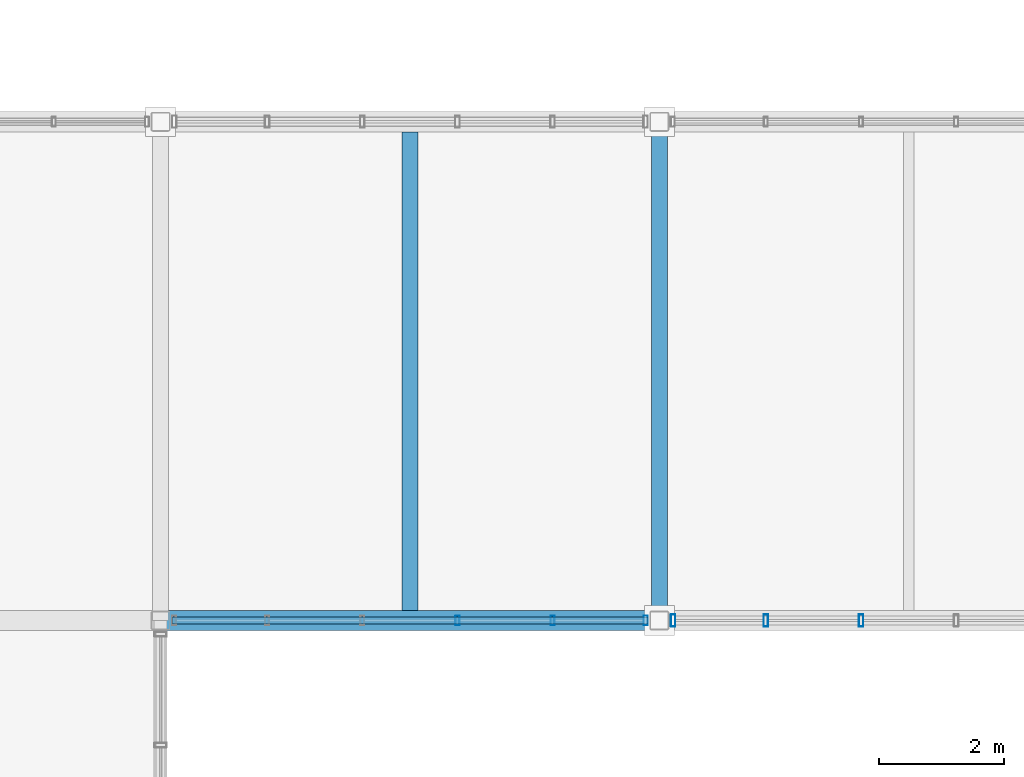
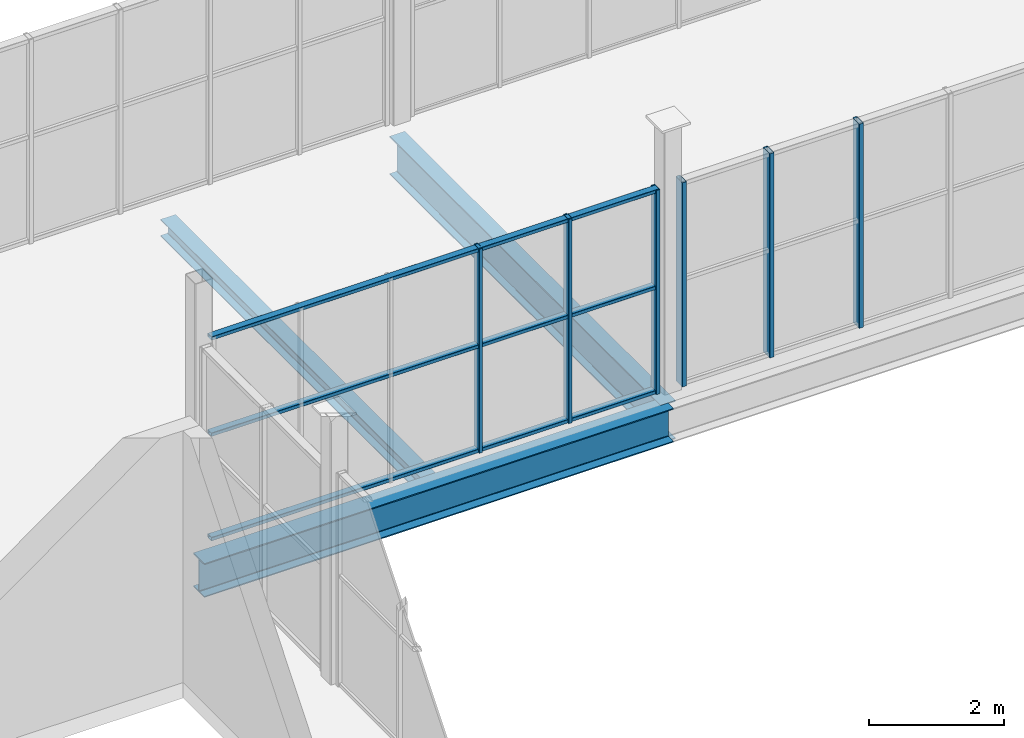
# One storey, part 50 of 114: 9 members, 3 beams, 2 elements without a shape of their own.
"""IFC4 building model written with IfcOpenShell, lengths in metres."""

from ifc_helpers import new_model, si_unit, direction, frame, origin, origin_2d, place, context, subcontext, project, spatial, hollow_rectangle, i_section, extrude, material, material_profile, profile_set, type_object, element, aggregate, save


model = new_model("IFC4")

# Units and contexts
model_context = context("Model", 3, precision=1e-05, world=origin(), true_north=direction((0.0, 1.0)))
body_context = subcontext(model_context, "Body", "Model", "MODEL_VIEW")
ifc_project = project(units=[si_unit("LENGTHUNIT", "METRE"), si_unit("AREAUNIT", "SQUARE_METRE"), si_unit("VOLUMEUNIT", "CUBIC_METRE"), si_unit("PLANEANGLEUNIT", "RADIAN"), si_unit("MASSUNIT", "GRAM", prefix="KILO")], contexts=[model_context])

# Site, building, storey
site_placement = place(None, origin())
site = spatial("IfcSite", under=ifc_project, at=site_placement, CompositionType="ELEMENT")
building_placement = place(site_placement, origin())
building = spatial("IfcBuilding", under=site, at=building_placement, Name="Verrall Gate Interchange", CompositionType="ELEMENT")
storey_placement = place(building_placement, frame((0.0, 0.0, 6.60009765625)))
storey = spatial("IfcBuildingStorey", under=building, at=storey_placement, Name="L02", CompositionType="ELEMENT", Elevation=6.60009765625)

# Beams
ifc_material_1 = material(Name="Structural Steel CSA G40.21 350WT Cat 4", Category="steel")
ifc_material_profile_1 = material_profile(ifc_material_1, i_section(OverallWidth=0.256103515625, OverallDepth=0.693115234375, WebThickness=0.01318359375, FlangeThickness=0.02001953125, FilletRadius=0.01611328125, at=origin_2d()), Name="W690x170")
ifc_profile_set_1 = profile_set([ifc_material_profile_1], Name="Structural Steel CSA G40.21 350WT Cat 4")
beam_type_1 = type_object("IfcBeamType", Name="B-07 Structural Beam W690x170", PredefinedType="BEAM", material=ifc_profile_set_1)
beam_1_placement = place(storey_placement, frame((116.0, 48.0, -0.626708984375), z_axis=(0.0, 1.0, 0.0), x_axis=(-1.0, 0.0, 0.0)))
element("IfcBeam", 1, at=beam_1_placement, inside=storey, type_object=beam_type_1, Name="L02 Girder BM-L02-1781 (B-07)", PredefinedType="BEAM", context=body_context, shape_type="SweptSolid", body=[
    extrude(i_section(OverallWidth=0.256103515625, OverallDepth=0.693115234375, WebThickness=0.01318359375, FlangeThickness=0.02001953125, FilletRadius=0.01611328125, at=origin_2d()), origin(), (0.0, 0.0, 1.0), 8.0),
])
ifc_material_2 = material(Name="Structural Steel CSA G40.21 350WT Cat 4", Category="steel")
ifc_material_profile_2 = material_profile(ifc_material_2, i_section(OverallWidth=0.323974609375, OverallDepth=0.611083984375, WebThickness=0.0126953125, FlangeThickness=0.01904296875, FilletRadius=0.014892578125, at=origin_2d()), Name="W610x155")
ifc_profile_set_2 = profile_set([ifc_material_profile_2], Name="Structural Steel CSA G40.21 350WT Cat 4")
beam_type_2 = type_object("IfcBeamType", Name="B-08 Structural Beam W610x155", PredefinedType="BEAM", material=ifc_profile_set_2)
beam_2_placement = place(storey_placement, frame((108.0, 48.0, -0.585693359375), z_axis=(1.0, 0.0, 0.0), x_axis=(0.0, 1.0, 0.0)))
element("IfcBeam", 2, at=beam_2_placement, inside=storey, type_object=beam_type_2, Name="L02 Girder BM-L02-1579 (B-08)", PredefinedType="BEAM", context=body_context, shape_type="SweptSolid", body=[
    extrude(i_section(OverallWidth=0.323974609375, OverallDepth=0.611083984375, WebThickness=0.0126953125, FlangeThickness=0.01904296875, FilletRadius=0.014892578125, at=origin_2d()), origin(), (0.0, 0.0, 1.0), 8.0),
])

# Curtain wall, members
ifc_material_3 = material(Name="Thermally Broken Anodized Aluminium Curtain Wall Framing", Category="aluminium")
curtain_wall_type = type_object("IfcCurtainWallType", Name="CW-21 Unitized Curtain Wall 7631x3680", PredefinedType="NOTDEFINED", material=ifc_material_3)
curtain_wall_1_placement = place(storey_placement, origin())
curtain_wall_1 = element("IfcCurtainWall", 3, at=curtain_wall_1_placement, inside=storey, type_object=curtain_wall_type, Name="L02 Unitized Curtain Wall CW-L02-070", PredefinedType="NOTDEFINED")
ifc_material_4 = material(Name="Thermally Broken Anodized Aluminium Curtain Wall Framing", Category="aluminium")
ifc_material_profile_3 = material_profile(ifc_material_4, hollow_rectangle(XDim=0.06494140625, YDim=0.159912109375, WallThickness=0.00390625, InnerFilletRadius=0.00390625, OuterFilletRadius=0.008056640625, at=origin_2d()), Name="CWM160x65x4")
ifc_profile_set_3 = profile_set([ifc_material_profile_3], Name="Thermally Broken Anodized Aluminium Curtain Wall Framing")
member_type_1 = type_object("IfcMemberType", Name="CM-01 Curtain Mullion CWM160x65x4", PredefinedType="MULLION", material=ifc_profile_set_3)
member_1_placement = place(storey_placement, frame((112.76318359375, 48.0, 0.0), z_axis=(0.0, 0.0, 1.0), x_axis=(1.0, 0.0, 0.0)))
member_1 = element("IfcMember", 4, at=member_1_placement, type_object=member_type_1, Name="CW-L02-070 Mullion 4", PredefinedType="MULLION", context=body_context, shape_type="SweptSolid", body=[
    extrude(hollow_rectangle(XDim=0.06494140625, YDim=0.159912109375, WallThickness=0.00390625, InnerFilletRadius=0.00390625, OuterFilletRadius=0.008056640625, at=origin_2d()), origin(), (0.0, 0.0, 1.0), 3.679931640625),
])
member_2_placement = place(storey_placement, frame((114.289306640625, 48.0, 0.0), z_axis=(0.0, 0.0, 1.0), x_axis=(1.0, 0.0, 0.0)))
member_2 = element("IfcMember", 5, at=member_2_placement, type_object=member_type_1, Name="CW-L02-070 Mullion 5", PredefinedType="MULLION", context=body_context, shape_type="SweptSolid", body=[
    extrude(hollow_rectangle(XDim=0.06494140625, YDim=0.159912109375, WallThickness=0.00390625, InnerFilletRadius=0.00390625, OuterFilletRadius=0.008056640625, at=origin_2d()), origin(), (0.0, 0.0, 1.0), 3.679931640625),
])
member_3_placement = place(storey_placement, frame((115.782958984375, 48.0, 0.0), z_axis=(0.0, 0.0, 1.0), x_axis=(1.0, 0.0, 0.0)))
member_3 = element("IfcMember", 6, at=member_3_placement, type_object=member_type_1, Name="CW-L02-070 Mullion 6", PredefinedType="MULLION", context=body_context, shape_type="SweptSolid", body=[
    extrude(hollow_rectangle(XDim=0.06494140625, YDim=0.159912109375, WallThickness=0.00390625, InnerFilletRadius=0.00390625, OuterFilletRadius=0.008056640625, at=origin_2d()), origin(), (0.0, 0.0, 1.0), 3.679931640625),
])

curtain_wall_2_placement = place(storey_placement, origin())
curtain_wall_2 = element("IfcCurtainWall", 7, at=curtain_wall_2_placement, inside=storey, type_object=curtain_wall_type, Name="L02 Unitized Curtain Wall CW-L02-071", PredefinedType="NOTDEFINED")
ifc_material_5 = material(Name="Thermally Broken Anodized Aluminium Curtain Wall Framing", Category="aluminium")
ifc_material_profile_4 = material_profile(ifc_material_5, hollow_rectangle(XDim=0.074951171875, YDim=0.199951171875, WallThickness=0.0048828125, InnerFilletRadius=0.0048828125, OuterFilletRadius=0.010009765625, at=origin_2d()), Name="CWM200x75x5")
ifc_profile_set_4 = profile_set([ifc_material_profile_4], Name="Thermally Broken Anodized Aluminium Curtain Wall Framing")
member_type_2 = type_object("IfcMemberType", Name="CM-02 Curtain Mullion CWM200x75x5", PredefinedType="MULLION", material=ifc_profile_set_4)
member_4_placement = place(storey_placement, frame((116.221923828125, 48.0, 0.0), z_axis=(0.0, 0.0, 1.0), x_axis=(1.0, 0.0, 0.0)))
member_4 = element("IfcMember", 8, at=member_4_placement, type_object=member_type_2, Name="CW-L02-071 Mullion 1", PredefinedType="MULLION", context=body_context, shape_type="SweptSolid", body=[
    extrude(hollow_rectangle(XDim=0.074951171875, YDim=0.199951171875, WallThickness=0.0048828125, InnerFilletRadius=0.0048828125, OuterFilletRadius=0.010009765625, at=origin_2d()), origin(), (0.0, 0.0, 1.0), 3.679931640625),
])
member_5_placement = place(storey_placement, frame((117.710693359375, 48.0, 0.0), z_axis=(0.0, 0.0, 1.0), x_axis=(1.0, 0.0, 0.0)))
member_5 = element("IfcMember", 9, at=member_5_placement, type_object=member_type_2, Name="CW-L02-071 Mullion 2", PredefinedType="MULLION", context=body_context, shape_type="SweptSolid", body=[
    extrude(hollow_rectangle(XDim=0.074951171875, YDim=0.199951171875, WallThickness=0.0048828125, InnerFilletRadius=0.0048828125, OuterFilletRadius=0.010009765625, at=origin_2d()), origin(), (0.0, 0.0, 1.0), 3.679931640625),
])
member_6_placement = place(storey_placement, frame((119.23681640625, 48.0, 0.0), z_axis=(0.0, 0.0, 1.0), x_axis=(1.0, 0.0, 0.0)))
member_6 = element("IfcMember", 10, at=member_6_placement, type_object=member_type_2, Name="CW-L02-071 Mullion 3", PredefinedType="MULLION", context=body_context, shape_type="SweptSolid", body=[
    extrude(hollow_rectangle(XDim=0.074951171875, YDim=0.199951171875, WallThickness=0.0048828125, InnerFilletRadius=0.0048828125, OuterFilletRadius=0.010009765625, at=origin_2d()), origin(), (0.0, 0.0, 1.0), 3.679931640625),
])
aggregate(curtain_wall_2, [member_4, member_5, member_6])

# Member
ifc_material_6 = material(Name="Thermally Broken Anodized Aluminium Curtain Wall Framing", Category="aluminium")
ifc_material_profile_5 = material_profile(ifc_material_6, hollow_rectangle(XDim=0.1201171875, YDim=0.06494140625, WallThickness=0.00390625, InnerFilletRadius=0.00390625, OuterFilletRadius=0.008056640625, at=origin_2d()), Name="CWT120x65x4")
ifc_profile_set_5 = profile_set([ifc_material_profile_5], Name="Thermally Broken Anodized Aluminium Curtain Wall Framing")
member_type_3 = type_object("IfcMemberType", Name="CT-01 Curtain Transom CWT120x65x4", PredefinedType="USERDEFINED", material=ifc_profile_set_5)
member_7_placement = place(storey_placement, frame((108.1845703125, 48.0, 0.032470703125), z_axis=(1.0, 0.0, 0.0), x_axis=(0.0, 1.0, 0.0)))
member_7 = element("IfcMember", 11, at=member_7_placement, type_object=member_type_3, Name="CW-L02-070 Transom 1", ObjectType="TRANSOM", PredefinedType="USERDEFINED", context=body_context, shape_type="SweptSolid", body=[
    extrude(hollow_rectangle(XDim=0.1201171875, YDim=0.06494140625, WallThickness=0.00390625, InnerFilletRadius=0.00390625, OuterFilletRadius=0.008056640625, at=origin_2d()), origin(), (0.0, 0.0, 1.0), 7.630859375),
])

member_8_placement = place(storey_placement, frame((108.1845703125, 48.0, 1.91357421875), z_axis=(1.0, 0.0, 0.0), x_axis=(0.0, 1.0, 0.0)))
member_8 = element("IfcMember", 12, at=member_8_placement, type_object=member_type_3, Name="CW-L02-070 Transom 2", ObjectType="TRANSOM", PredefinedType="USERDEFINED", context=body_context, shape_type="SweptSolid", body=[
    extrude(hollow_rectangle(XDim=0.1201171875, YDim=0.06494140625, WallThickness=0.00390625, InnerFilletRadius=0.00390625, OuterFilletRadius=0.008056640625, at=origin_2d()), origin(), (0.0, 0.0, 1.0), 7.630859375),
])

member_9_placement = place(storey_placement, frame((108.1845703125, 48.0, 3.6474609375), z_axis=(1.0, 0.0, 0.0), x_axis=(0.0, 1.0, 0.0)))
member_9 = element("IfcMember", 13, at=member_9_placement, type_object=member_type_3, Name="CW-L02-070 Transom 3", ObjectType="TRANSOM", PredefinedType="USERDEFINED", context=body_context, shape_type="SweptSolid", body=[
    extrude(hollow_rectangle(XDim=0.1201171875, YDim=0.06494140625, WallThickness=0.00390625, InnerFilletRadius=0.00390625, OuterFilletRadius=0.008056640625, at=origin_2d()), origin(), (0.0, 0.0, 1.0), 7.630859375),
])

aggregate(curtain_wall_1, [member_1, member_2, member_3, member_7, member_8, member_9])

# Beam
ifc_material_7 = material(Name="Structural Steel CSA G40.21 350W", Category="steel")
ifc_material_profile_6 = material_profile(ifc_material_7, i_section(OverallWidth=0.25390625, OverallDepth=0.305908203125, WebThickness=0.0087890625, FlangeThickness=0.0146484375, FilletRadius=0.012939453125, at=origin_2d()), Name="W310x79")
ifc_profile_set_6 = profile_set([ifc_material_profile_6], Name="Structural Steel CSA G40.21 350W")
beam_type_3 = type_object("IfcBeamType", Name="J-03 Floor Joist W310x79", PredefinedType="JOIST", material=ifc_profile_set_6)
beam_3_placement = place(storey_placement, frame((112.0, 48.162109375, -0.43310546875), z_axis=(0.0, 1.0, 0.0), x_axis=(-1.0, 0.0, 0.0)))
element("IfcBeam", 14, at=beam_3_placement, inside=storey, type_object=beam_type_3, Name="L02 Secondary Floor Joist JST-L02-1952", PredefinedType="JOIST", context=body_context, shape_type="SweptSolid", body=[
    extrude(i_section(OverallWidth=0.25390625, OverallDepth=0.305908203125, WebThickness=0.0087890625, FlangeThickness=0.0146484375, FilletRadius=0.012939453125, at=origin_2d()), origin(), (0.0, 0.0, 1.0), 7.67578125),
])

save(model, "model.ifc")
